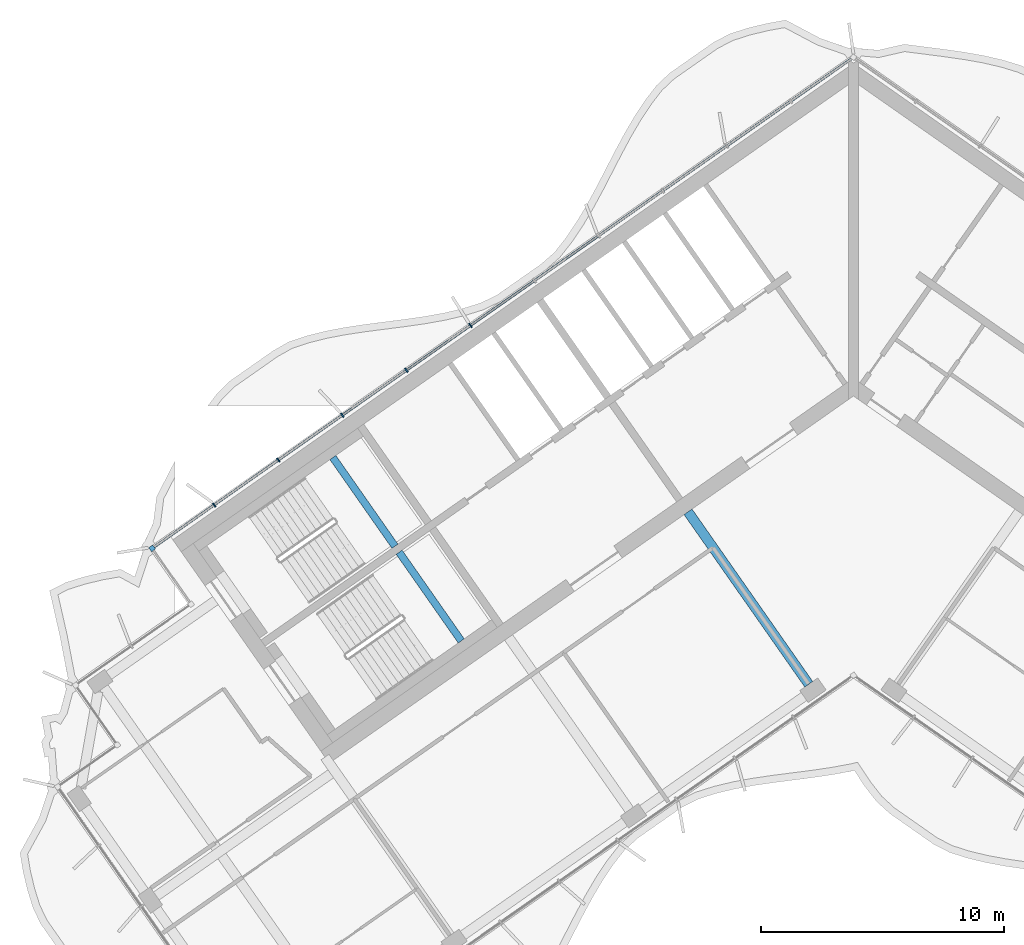
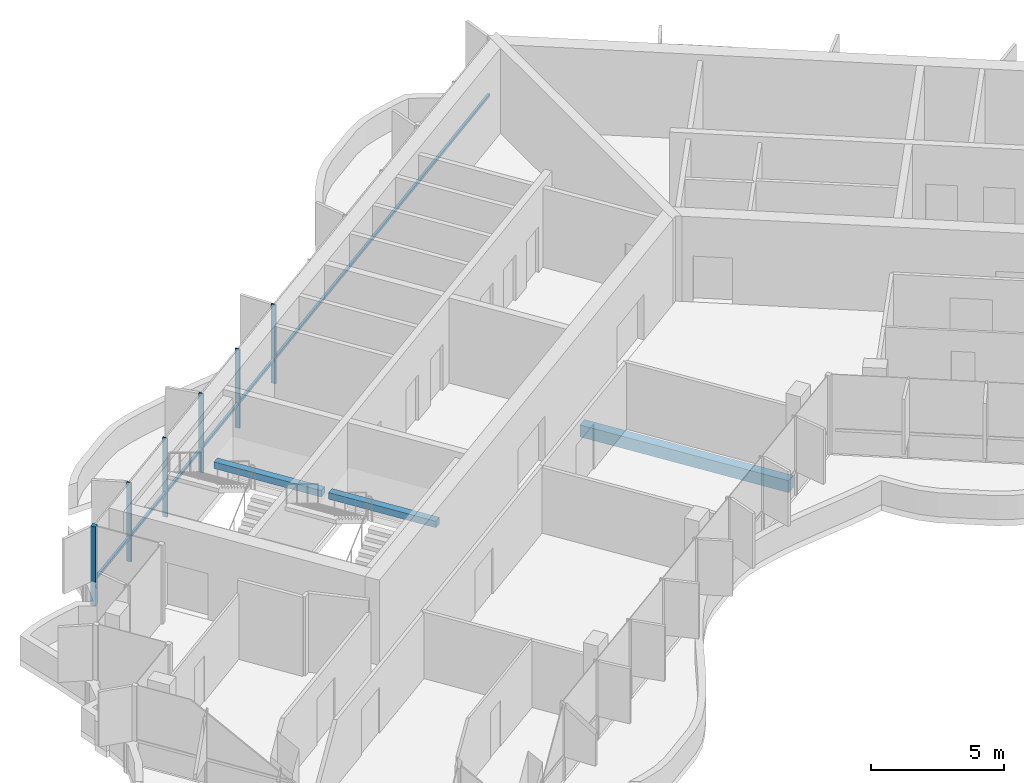
# One storey, part 3 of 18: 7 members, 3 beams, 1 element without a shape of its own.
"""IFC4 building model written with IfcOpenShell, lengths in metres."""

import ifcopenshell
import ifcopenshell.guid

model = None  # the IFC model being written
_history = None  # IfcOwnerHistory: only IFC2X3 demands one
_inside = {}  # id of a spatial element -> (the spatial element, [elements in it])
_under = {}  # id of a project, library or spatial element -> (it, [spatial elements below it])
_declared = {}  # id of a project -> (the project, [libraries it declares])
_typed = {}  # id of a type object -> (the type object, [elements of that type])
_made_of = {}  # id of a material, layer set ... -> (it, [elements and type objects made of it])


def new_model(schema):
    """Start an empty IFC model of exactly this schema.

    Asked for "IFC4X3", IfcOpenShell would pick the latest addendum, in which some entities
    have other attributes; the version numbers below select the first issue.
    IFC2X3 requires an IfcOwnerHistory on every rooted entity: one is made here for all.
    """
    global model, _history
    if schema == "IFC4X3":
        model = ifcopenshell.file(schema_version=(4, 3, 0, 0))
    else:
        model = ifcopenshell.file(schema=schema)
    _inside.clear()
    _under.clear()
    _declared.clear()
    _typed.clear()
    _made_of.clear()
    _history = None
    if model.schema == "IFC2X3":
        org = make("IfcOrganization", Name="unknown")
        user = make(
            "IfcPersonAndOrganization",
            ThePerson=make("IfcPerson", FamilyName="unknown"),
            TheOrganization=org,
        )
        app = make(
            "IfcApplication",
            ApplicationDeveloper=org,
            Version="unknown",
            ApplicationFullName="unknown",
            ApplicationIdentifier="unknown",
        )
        _history = make(
            "IfcOwnerHistory",
            OwningUser=user,
            OwningApplication=app,
            ChangeAction="ADDED",
            CreationDate=0,
        )
    return model


def make(cls, **values):
    """One entity of the class cls with the attributes given. An attribute that is None is left unset."""
    return model.create_entity(
        cls, **{name: value for name, value in values.items() if value is not None}
    )


def rooted(cls, **values):
    """An entity with a GlobalId (a new one), such as an element, a storey or a relation."""
    return make(cls, GlobalId=ifcopenshell.guid.new(), OwnerHistory=_history, **values)


def si_unit(unit_type, name, prefix=None):
    """IfcSIUnit, for example si_unit("LENGTHUNIT", "METRE", prefix="MILLI")."""
    return make("IfcSIUnit", UnitType=unit_type, Prefix=prefix, Name=name)


def assignment(units):
    """IfcUnitAssignment: the units of a project."""
    return None if units is None else make("IfcUnitAssignment", Units=units)


def point(xyz):
    """IfcCartesianPoint."""
    return None if xyz is None else make("IfcCartesianPoint", Coordinates=xyz)


def direction(xyz):
    """IfcDirection."""
    return None if xyz is None else make("IfcDirection", DirectionRatios=xyz)


def frame(location, z_axis=None, x_axis=None):
    """IfcAxis2Placement3D, a coordinate frame: its origin and axes. An axis left out is left unset."""
    return make(
        "IfcAxis2Placement3D",
        Location=point(location),
        Axis=direction(z_axis),
        RefDirection=direction(x_axis),
    )


def frame_2d(location, x_axis=None):
    """IfcAxis2Placement2D, a coordinate frame in the plane: its origin and x axis."""
    return make(
        "IfcAxis2Placement2D", Location=point(location), RefDirection=direction(x_axis)
    )


def origin():
    """The frame at (0, 0, 0) with its axes left unset."""
    return frame((0.0, 0.0, 0.0))


def origin_2d():
    """The frame at (0, 0) in the plane with its x axis left unset."""
    return frame_2d((0.0, 0.0))


def place(relative_to, where):
    """IfcLocalPlacement: puts the frame where relative to a parent placement (None: the world)."""
    return make(
        "IfcLocalPlacement", PlacementRelTo=relative_to, RelativePlacement=where
    )


def context(
    kind, dimensions, precision=None, world=None, true_north=None, identifier=None
):
    """IfcGeometricRepresentationContext, for example the 3D "Model" context."""
    return make(
        "IfcGeometricRepresentationContext",
        ContextIdentifier=identifier,
        ContextType=kind,
        CoordinateSpaceDimension=dimensions,
        Precision=precision,
        WorldCoordinateSystem=world,
        TrueNorth=true_north,
    )


def subcontext(parent, identifier, kind, view, scale=None):
    """IfcGeometricRepresentationSubContext, for example "Body" below "Model"."""
    return make(
        "IfcGeometricRepresentationSubContext",
        ContextIdentifier=identifier,
        ContextType=kind,
        ParentContext=parent,
        TargetScale=scale,
        TargetView=view,
    )


def project(units=None, contexts=None):
    """IfcProject with its units and contexts."""
    return rooted(
        "IfcProject",
        Name="project",
        RepresentationContexts=contexts,
        UnitsInContext=assignment(units),
    )


def spatial(cls, under=None, at=None, **own):
    """A site, building, storey or space (cls), placed at a placement, below another one or the project."""
    s = rooted(cls, ObjectPlacement=at, **own)
    if under is not None:
        _under.setdefault(under.id(), (under, []))[1].append(s)
    return s


def profile(cls, at=None, kind="AREA", **sizes):
    """A parametric profile (cls). Its sizes go by their IFC names, for example OverallWidth=200.0."""
    return make(cls, ProfileType=kind, Position=at, **sizes)


def rectangle(**sizes):
    """IfcRectangleProfileDef."""
    return profile("IfcRectangleProfileDef", **sizes)


def extrude(swept, where, along, depth):
    """IfcExtrudedAreaSolid: the profile swept, set in the frame where, extruded along a direction by depth."""
    return make(
        "IfcExtrudedAreaSolid",
        SweptArea=swept,
        Position=where,
        ExtrudedDirection=direction(along),
        Depth=depth,
    )


def shape(context_of_items, identifier, shape_type, items):
    """IfcShapeRepresentation: the items that make up one representation, for example the "Body"."""
    return make(
        "IfcShapeRepresentation",
        ContextOfItems=context_of_items,
        RepresentationIdentifier=identifier,
        RepresentationType=shape_type,
        Items=items,
    )


def material(Name=None, Category=None):
    """IfcMaterial."""
    return make("IfcMaterial", Name=Name, Category=Category)


def material_profile(
    of_material, cross_section, Name=None, Category=None, Priority=None
):
    """IfcMaterialProfile: a cross section and its material."""
    return make(
        "IfcMaterialProfile",
        Name=Name,
        Material=of_material,
        Profile=cross_section,
        Priority=Priority,
        Category=Category,
    )


def profile_set(profiles, Name=None, composite=None):
    """IfcMaterialProfileSet."""
    return make(
        "IfcMaterialProfileSet",
        Name=Name,
        MaterialProfiles=profiles,
        CompositeProfile=composite,
    )


def made_of(thing, what):
    """Note that an element or type object is made of a material, layer set ...; save() writes the relation."""
    if what is not None:
        _made_of.setdefault(what.id(), (what, []))[1].append(thing)
    return thing


def type_object(cls, material=None, **own):
    """A type object (cls), such as IfcWallType, which elements share."""
    return made_of(rooted(cls, **own), material)


def element(
    cls,
    number,
    at=None,
    inside=None,
    cuts=None,
    type_object=None,
    material=None,
    context=None,
    identifier="Body",
    shape_type=None,
    held_by="IfcProductDefinitionShape",
    body=None,
    shapes=None,
    **own,
):
    """One element of the class cls, such as IfcWall. Its Tag is "e" and its number.

    at: its placement. inside: the storey or other place that contains it. cuts: it is an
    opening in that element (IfcRelVoidsElement). A single representation is given by context,
    identifier, shape_type and body (its items); several are given by shapes. held_by: the class
    of the entity that holds the representations. save() writes the other relations.
    """
    e = rooted(cls, Tag="e%d" % number, ObjectPlacement=at, **own)
    if body is not None:
        shapes = [shape(context, identifier, shape_type, body)]
    if shapes is not None:
        e.Representation = make(held_by, Representations=shapes)
    if inside is not None:
        _inside.setdefault(inside.id(), (inside, []))[1].append(e)
    if cuts is not None:
        rooted(
            "IfcRelVoidsElement", RelatingBuildingElement=cuts, RelatedOpeningElement=e
        )
    if type_object is not None:
        _typed.setdefault(type_object.id(), (type_object, []))[1].append(e)
    return made_of(e, material)


def aggregate(whole, parts):
    """IfcRelAggregates: a whole, such as a stair, and the parts it consists of."""
    return rooted("IfcRelAggregates", RelatingObject=whole, RelatedObjects=parts)


def save(model, path):
    """Write the relations noted so far, then the file.

    IfcRelAggregates (storeys below a building ...), IfcRelContainedInSpatialStructure (elements
    in a storey), IfcRelDefinesByType, IfcRelAssociatesMaterial and IfcRelDeclares: one each for
    every whole, place, type object, material and project.
    """
    for whole, parts in _under.values():
        aggregate(whole, parts)
    for where, things in _inside.values():
        rooted(
            "IfcRelContainedInSpatialStructure",
            RelatedElements=things,
            RelatingStructure=where,
        )
    for kind, things in _typed.values():
        rooted("IfcRelDefinesByType", RelatedObjects=things, RelatingType=kind)
    for what, things in _made_of.values():
        rooted("IfcRelAssociatesMaterial", RelatedObjects=things, RelatingMaterial=what)
    for by, libraries in _declared.values():
        rooted("IfcRelDeclares", RelatingContext=by, RelatedDefinitions=libraries)
    model.write(path)


model = new_model("IFC4")

# Units and contexts
model_context = context("Model", 3, precision=1e-05, world=origin(), true_north=direction((0.0, 1.0)))
body_context = subcontext(model_context, "Body", "Model", "MODEL_VIEW")
ifc_project = project(units=[si_unit("LENGTHUNIT", "METRE"), si_unit("AREAUNIT", "SQUARE_METRE"), si_unit("VOLUMEUNIT", "CUBIC_METRE"), si_unit("PLANEANGLEUNIT", "RADIAN"), si_unit("MASSUNIT", "GRAM", prefix="KILO")], contexts=[model_context])

# Site, building, storey
site_placement = place(None, origin())
site = spatial("IfcSite", under=ifc_project, at=site_placement, CompositionType="ELEMENT")
building_placement = place(site_placement, origin())
building = spatial("IfcBuilding", under=site, at=building_placement, Name="Tel Ilan Convention Tower", CompositionType="ELEMENT")
storey_placement = place(building_placement, frame((0.0, 0.0, 256.60009765625)))
storey = spatial("IfcBuildingStorey", under=building, at=storey_placement, Name="L60", CompositionType="ELEMENT", Elevation=256.60009765625)

# Beam
ifc_material_1 = material(Name="Concrete C40/50", Category="concrete")
ifc_material_profile_1 = material_profile(ifc_material_1, rectangle(XDim=0.39990234375, YDim=0.550048828125, at=origin_2d()), Name="RC 400x550")
ifc_profile_set_1 = profile_set([ifc_material_profile_1], Name="Concrete C40/50")
beam_type_1 = type_object("IfcBeamType", Name="Beam RC 400x550 Concrete C40/50", PredefinedType="BEAM", material=ifc_profile_set_1)
beam_1_placement = place(storey_placement, frame((-1.83740234375, -13.06689453125, -0.55517578125), z_axis=(-0.573574099654, 0.819153680457, 0.0), x_axis=(-0.819153680457, -0.573574099654, 0.0)))
element("IfcBeam", 1, at=beam_1_placement, inside=storey, type_object=beam_type_1, Name="L60 beam W-W-F1-core", PredefinedType="BEAM", context=body_context, shape_type="SweptSolid", body=[
    extrude(rectangle(XDim=0.39990234375, YDim=0.550048828125, at=origin_2d()), origin(), (0.0, 0.0, 1.0), 8.64990234375),
])

# Curtain wall, members
ifc_material_2 = material(Name="Aluminium, bronze anodised", Category="aluminium")
curtain_wall_type = type_object("IfcCurtainWallType", Name="CW2 STICK CURTAIN WALL, SPANDREL PANELS", PredefinedType="NOTDEFINED", material=ifc_material_2)
curtain_wall_placement = place(storey_placement, origin())
curtain_wall = element("IfcCurtainWall", 2, at=curtain_wall_placement, inside=storey, type_object=curtain_wall_type, Name="Curtain wall CW2-46.01", PredefinedType="NOTDEFINED")
ifc_material_3 = material(Name="Aluminium, bronze anodised", Category="aluminium")
ifc_material_profile_2 = material_profile(ifc_material_3, rectangle(XDim=0.199951171875, YDim=0.199951171875, at=origin_2d()), Name="CW CORNER MULLION 200x200")
ifc_profile_set_2 = profile_set([ifc_material_profile_2], Name="Aluminium, bronze anodised")
member_type_1 = type_object("IfcMemberType", Name="CW CORNER MULLION 200x200", PredefinedType="MULLION", material=ifc_profile_set_2)
member_1_placement = place(storey_placement, frame((-28.819580078125, -7.483642578125, 0.0), z_axis=(0.0, 0.0, 1.0), x_axis=(-0.819152044289, -0.573576436351, 0.0)))
member_1 = element("IfcMember", 3, at=member_1_placement, type_object=member_type_1, Name="Corner mullion", PredefinedType="MULLION", context=body_context, shape_type="SweptSolid", body=[
    extrude(rectangle(XDim=0.199951171875, YDim=0.199951171875, at=origin_2d()), origin(), (0.0, 0.0, 1.0), 3.619873046875),
])
ifc_material_4 = material(Name="Aluminium, bronze anodised", Category="aluminium")
ifc_material_profile_3 = material_profile(ifc_material_4, rectangle(XDim=0.06005859375, YDim=0.199951171875, at=origin_2d()), Name="CW MULLION 60x200")
ifc_profile_set_3 = profile_set([ifc_material_profile_3], Name="Aluminium, bronze anodised")
member_type_2 = type_object("IfcMemberType", Name="CW MULLION 60x200", PredefinedType="MULLION", material=ifc_profile_set_3)
member_2_placement = place(storey_placement, frame((-15.73828125, 1.676025390625, 0.0), z_axis=(0.0, 0.0, 1.0), x_axis=(-0.819152044289, -0.573576436351, 0.0)))
member_2 = element("IfcMember", 4, at=member_2_placement, type_object=member_type_2, Name="Mullion", PredefinedType="MULLION", context=body_context, shape_type="SweptSolid", body=[
    extrude(rectangle(XDim=0.06005859375, YDim=0.199951171875, at=origin_2d()), origin(), (0.0, 0.0, 1.0), 3.619873046875),
])
member_3_placement = place(storey_placement, frame((-18.37109375, -0.16748046875, 0.0), z_axis=(0.0, 0.0, 1.0), x_axis=(-0.819152044289, -0.573576436351, 0.0)))
member_3 = element("IfcMember", 5, at=member_3_placement, type_object=member_type_2, Name="Mullion", PredefinedType="MULLION", context=body_context, shape_type="SweptSolid", body=[
    extrude(rectangle(XDim=0.06005859375, YDim=0.199951171875, at=origin_2d()), origin(), (0.0, 0.0, 1.0), 3.619873046875),
])
member_4_placement = place(storey_placement, frame((-21.003662109375, -2.0107421875, 0.0), z_axis=(0.0, 0.0, 1.0), x_axis=(-0.819152044289, -0.573576436351, 0.0)))
member_4 = element("IfcMember", 6, at=member_4_placement, type_object=member_type_2, Name="Mullion", PredefinedType="MULLION", context=body_context, shape_type="SweptSolid", body=[
    extrude(rectangle(XDim=0.06005859375, YDim=0.199951171875, at=origin_2d()), origin(), (0.0, 0.0, 1.0), 3.619873046875),
])
member_5_placement = place(storey_placement, frame((-23.63623046875, -3.854248046875, 0.0), z_axis=(0.0, 0.0, 1.0), x_axis=(-0.819152044289, -0.573576436351, 0.0)))
member_5 = element("IfcMember", 7, at=member_5_placement, type_object=member_type_2, Name="Mullion", PredefinedType="MULLION", context=body_context, shape_type="SweptSolid", body=[
    extrude(rectangle(XDim=0.06005859375, YDim=0.199951171875, at=origin_2d()), origin(), (0.0, 0.0, 1.0), 3.619873046875),
])
member_6_placement = place(storey_placement, frame((-26.268798828125, -5.697509765625, 0.0), z_axis=(0.0, 0.0, 1.0), x_axis=(-0.819152044289, -0.573576436351, 0.0)))
member_6 = element("IfcMember", 8, at=member_6_placement, type_object=member_type_2, Name="Mullion", PredefinedType="MULLION", context=body_context, shape_type="SweptSolid", body=[
    extrude(rectangle(XDim=0.06005859375, YDim=0.199951171875, at=origin_2d()), origin(), (0.0, 0.0, 1.0), 3.619873046875),
])
ifc_material_5 = material(Name="Aluminium, bronze anodised", Category="aluminium")
ifc_material_profile_4 = material_profile(ifc_material_5, rectangle(XDim=0.10009765625, YDim=0.1201171875, at=origin_2d()), Name="CW TRANSOM 100x120")
ifc_profile_set_4 = profile_set([ifc_material_profile_4], Name="Aluminium, bronze anodised")
member_type_3 = type_object("IfcMemberType", Name="CW TRANSOM 100x120", PredefinedType="USERDEFINED", material=ifc_profile_set_4)
member_7_placement = place(storey_placement, frame((-0.1064453125, 12.62158203125, 1.099853515625), z_axis=(-0.819150201937, -0.573579067494, 0.0), x_axis=(0.573579067494, -0.819150201937, 0.0)))
member_7 = element("IfcMember", 9, at=member_7_placement, type_object=member_type_3, Name="Transom", ObjectType="TRANSOM", PredefinedType="USERDEFINED", context=body_context, shape_type="SweptSolid", body=[
    extrude(rectangle(XDim=0.10009765625, YDim=0.1201171875, at=origin_2d()), origin(), (0.0, 0.0, 1.0), 34.9521484375),
])
aggregate(curtain_wall, [member_2, member_3, member_4, member_5, member_6, member_1, member_7])

# Beams
ifc_material_6 = material(Name="Concrete C40/50", Category="concrete")
ifc_material_profile_5 = material_profile(ifc_material_6, rectangle(XDim=0.300048828125, YDim=0.300048828125, at=origin_2d()), Name="RC 300x300")
ifc_profile_set_5 = profile_set([ifc_material_profile_5], Name="Concrete C40/50")
beam_type_2 = type_object("IfcBeamType", Name="Landing Beam RC 300x300 Concrete C40/50", PredefinedType="BEAM", material=ifc_profile_set_5)
beam_2_placement = place(storey_placement, frame((-18.841796875, -7.394287109375, 1.599853515625), z_axis=(-0.573547030514, 0.819172633691, 0.0), x_axis=(-0.819172633691, -0.573547030514, 0.0)))
element("IfcBeam", 10, at=beam_2_placement, inside=storey, type_object=beam_type_2, Name="S1 landing beam L60.1", PredefinedType="BEAM", context=body_context, shape_type="SweptSolid", body=[
    extrude(rectangle(XDim=0.300048828125, YDim=0.300048828125, at=origin_2d()), origin(), (0.0, 0.0, 1.0), 4.449951171875),
])
beam_3_placement = place(storey_placement, frame((-16.1171875, -11.285400390625, 1.599853515625), z_axis=(-0.573583844845, 0.819146856756, 0.0), x_axis=(-0.819146856756, -0.573583844845, 0.0)))
element("IfcBeam", 11, at=beam_3_placement, inside=storey, type_object=beam_type_2, Name="S2 landing beam L60.1", PredefinedType="BEAM", context=body_context, shape_type="SweptSolid", body=[
    extrude(rectangle(XDim=0.300048828125, YDim=0.300048828125, at=origin_2d()), origin(), (0.0, 0.0, 1.0), 4.4501953125),
])

save(model, "model.ifc")
